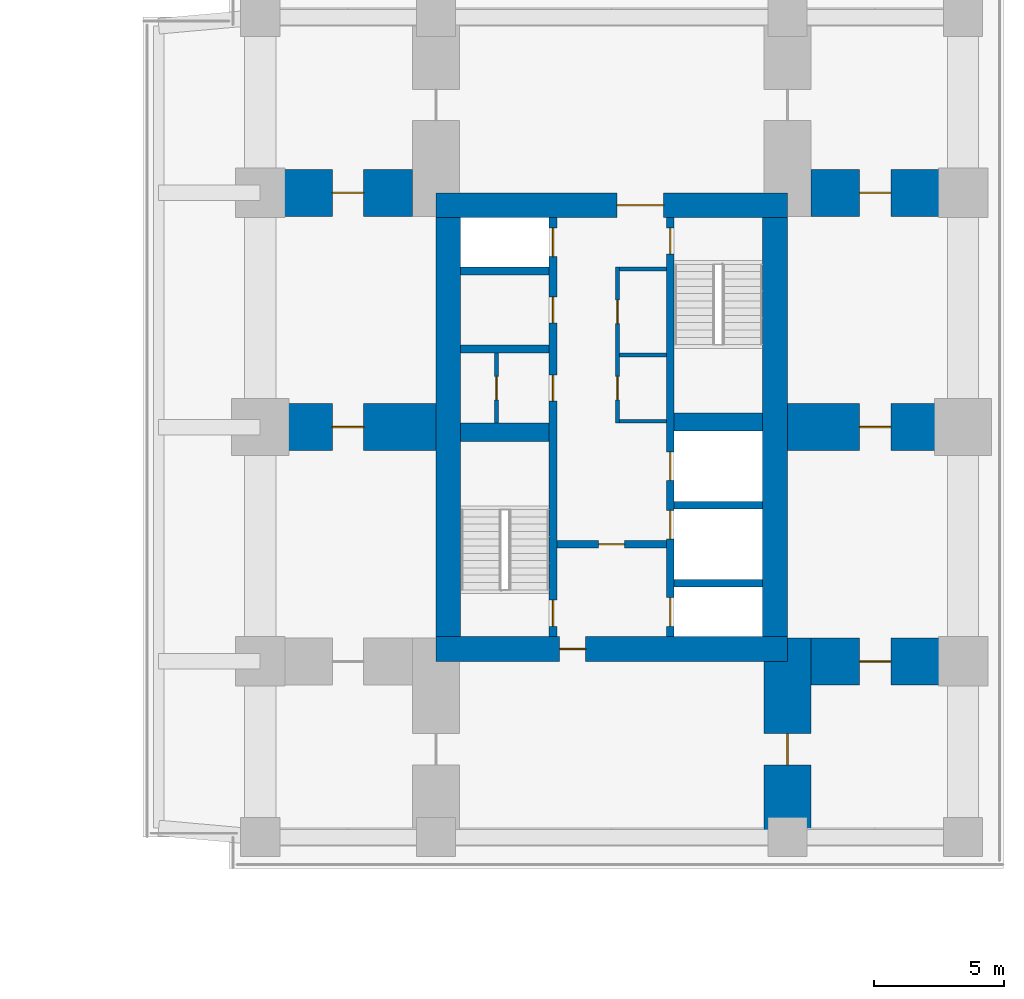
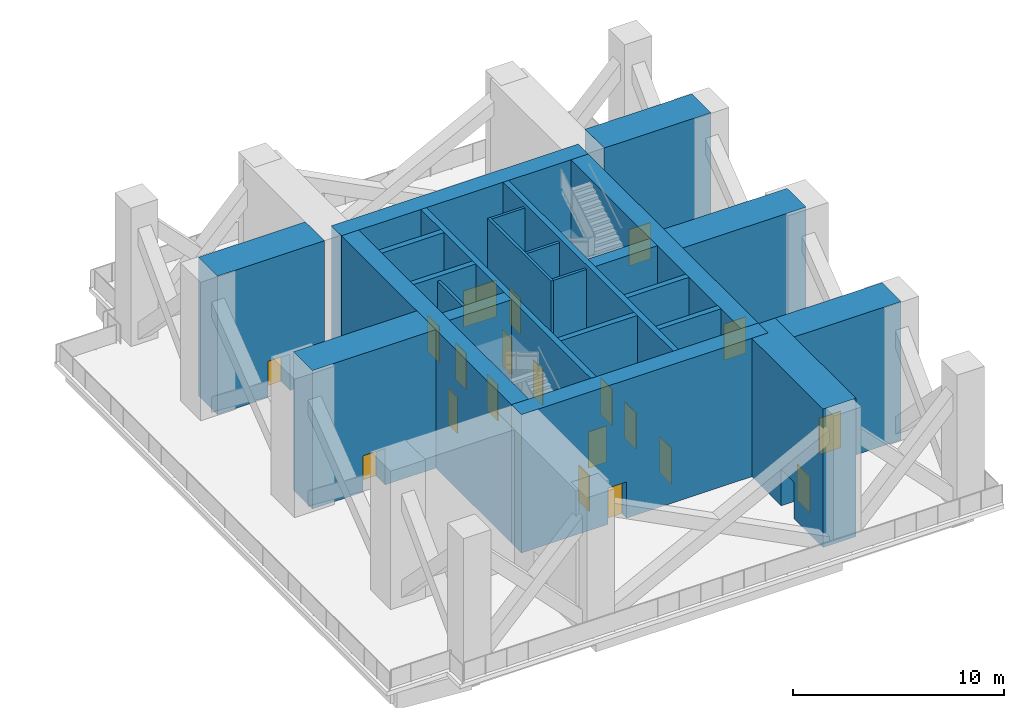
# One storey, part 5 of 11: 24 walls, 20 doors, 20 openings.
"""IFC4 building model written with IfcOpenShell, lengths in metres."""

from ifc_helpers import new_model, si_unit, direction, frame, frame_2d, origin, place, context, subcontext, project, spatial, rectangle, extrude, material, layer, layer_set, type_object, element, fill, save


model = new_model("IFC4")

# Units and contexts
model_context = context("Model", 3, precision=1e-05, world=origin(), true_north=direction((0.0, 1.0)))
body_context = subcontext(model_context, "Body", "Model", "MODEL_VIEW")
ifc_project = project(units=[si_unit("LENGTHUNIT", "METRE"), si_unit("AREAUNIT", "SQUARE_METRE"), si_unit("VOLUMEUNIT", "CUBIC_METRE"), si_unit("PLANEANGLEUNIT", "RADIAN"), si_unit("MASSUNIT", "GRAM", prefix="KILO")], contexts=[model_context])

# Site, building, storey
site_placement = place(None, origin())
site = spatial("IfcSite", under=ifc_project, at=site_placement, CompositionType="ELEMENT")
building_placement = place(site_placement, origin())
building = spatial("IfcBuilding", under=site, at=building_placement, Name="Namib Vertical Campus", CompositionType="ELEMENT")
storey_placement = place(building_placement, frame((0.0, 0.0, 169.0)))
storey = spatial("IfcBuildingStorey", under=building, at=storey_placement, Name="L40", CompositionType="ELEMENT", Elevation=169.0)

# Wall, openings, doors
ifc_material_1 = material(Name="Concrete C60/75", Category="concrete")
ifc_layer_1 = layer(ifc_material_1, 0.300048828125)
ifc_layer_set_1 = layer_set([ifc_layer_1], Name="Concrete C60/75")
wall_type_1 = type_object("IfcWallType", Name="Core inner wall 300", PredefinedType="SHEAR", material=ifc_layer_set_1)
wall_1_placement = place(storey_placement, frame((78.75, 12.199951171875, 0.0), z_axis=(0.0, 0.0, 1.0), x_axis=(0.0, 1.0, 0.0)))
wall_1 = element("IfcWall", 1, at=wall_1_placement, inside=storey, type_object=wall_type_1, Name="Core inner wall B L40 W1", PredefinedType="SHEAR", context=body_context, shape_type="SweptSolid", body=[
    extrude(rectangle(XDim=16.10009765625, YDim=0.300048828125, at=frame_2d((8.050048828125, 0.0))), origin(), (0.0, 0.0, 1.0), 8.0),
])
opening_1_placement = place(wall_1_placement, frame((0.39990234375, 0.0, 0.0)))
opening_1 = element("IfcOpeningElement", 2, at=opening_1_placement, cuts=wall_1, Name="Opening FD1", PredefinedType="OPENING", context=body_context, shape_type="SweptSolid", body=[
    extrude(rectangle(XDim=1.0, YDim=2.10009765625, at=frame_2d((0.5, 1.050048828125))), frame((0.0, 0.159912109375, 0.0), z_axis=(0.0, -1.0, 0.0), x_axis=(1.0, 0.0, 0.0)), (0.0, 0.0, 1.0), 0.320068359375),
])
opening_2_placement = place(wall_1_placement, frame((14.60009765625, 0.0, 0.0)))
opening_2 = element("IfcOpeningElement", 3, at=opening_2_placement, cuts=wall_1, Name="Opening LD1", PredefinedType="OPENING", context=body_context, shape_type="SweptSolid", body=[
    extrude(rectangle(XDim=1.10009765625, YDim=2.10009765625, at=frame_2d((0.550048828125, 1.050048828125))), frame((0.0, 0.159912109375, 0.0), z_axis=(0.0, -1.0, 0.0), x_axis=(1.0, 0.0, 0.0)), (0.0, 0.0, 1.0), 0.320068359375),
])
opening_3_placement = place(wall_1_placement, frame((9.050048828125, 0.0, 0.0)))
opening_3 = element("IfcOpeningElement", 4, at=opening_3_placement, cuts=wall_1, Name="Opening D1", PredefinedType="OPENING", context=body_context, shape_type="SweptSolid", body=[
    extrude(rectangle(XDim=1.0, YDim=2.10009765625, at=frame_2d((0.5, 1.050048828125))), frame((0.0, 0.159912109375, 0.0), z_axis=(0.0, -1.0, 0.0), x_axis=(1.0, 0.0, 0.0)), (0.0, 0.0, 1.0), 0.320068359375),
])
opening_4_placement = place(wall_1_placement, frame((12.050048828125, 0.0, 0.0)))
opening_4 = element("IfcOpeningElement", 5, at=opening_4_placement, cuts=wall_1, Name="Opening D1", PredefinedType="OPENING", context=body_context, shape_type="SweptSolid", body=[
    extrude(rectangle(XDim=1.0, YDim=2.10009765625, at=frame_2d((0.5, 1.050048828125))), frame((0.0, 0.159912109375, 0.0), z_axis=(0.0, -1.0, 0.0), x_axis=(1.0, 0.0, 0.0)), (0.0, 0.0, 1.0), 0.320068359375),
])
ifc_material_2 = material(Name="Timber door leaf", Category="wood")
door_type_1 = type_object("IfcDoorType", Name="Door single 1000x2100", OperationType="SINGLE_SWING_LEFT", PredefinedType="DOOR", material=ifc_material_2)
door_1_placement = place(opening_3_placement, origin())
door_1 = element("IfcDoor", 6, at=door_1_placement, inside=storey, type_object=door_type_1, Name="Door D1 Store B L40 P1", OperationType="SINGLE_SWING_LEFT", OverallHeight=2.10009765625, OverallWidth=1.0, PredefinedType="DOOR", context=body_context, shape_type="SweptSolid", body=[
    extrude(rectangle(XDim=1.0, YDim=2.10009765625, at=frame_2d((0.5, 1.050048828125))), frame((0.0, 0.02490234375, 0.0), z_axis=(0.0, -1.0, 0.0), x_axis=(1.0, 0.0, 0.0)), (0.0, 0.0, 1.0), 0.050048828125),
])
fill(opening_3, door_1)
door_2_placement = place(opening_4_placement, origin())
door_2 = element("IfcDoor", 7, at=door_2_placement, inside=storey, type_object=door_type_1, Name="Door D1 Cleaners' store B L40 P2", OperationType="SINGLE_SWING_LEFT", OverallHeight=2.10009765625, OverallWidth=1.0, PredefinedType="DOOR", context=body_context, shape_type="SweptSolid", body=[
    extrude(rectangle(XDim=1.0, YDim=2.10009765625, at=frame_2d((0.5, 1.050048828125))), frame((0.0, 0.02490234375, 0.0), z_axis=(0.0, -1.0, 0.0), x_axis=(1.0, 0.0, 0.0)), (0.0, 0.0, 1.0), 0.050048828125),
])
fill(opening_4, door_2)
ifc_material_3 = material(Name="Steel fire door", Category="steel")
door_type_2 = type_object("IfcDoorType", Name="Fire door 1000x2100", OperationType="SINGLE_SWING_RIGHT", PredefinedType="DOOR", material=ifc_material_3)
door_3_placement = place(opening_1_placement, origin())
door_3 = element("IfcDoor", 8, at=door_3_placement, inside=storey, type_object=door_type_2, Name="Stair door FD1 B L40 S1", OperationType="SINGLE_SWING_LEFT", OverallHeight=2.10009765625, OverallWidth=1.0, PredefinedType="DOOR", context=body_context, shape_type="SweptSolid", body=[
    extrude(rectangle(XDim=1.0, YDim=2.10009765625, at=frame_2d((0.5, 1.050048828125))), frame((0.0, 0.02490234375, 0.0), z_axis=(0.0, -1.0, 0.0), x_axis=(1.0, 0.0, 0.0)), (0.0, 0.0, 1.0), 0.050048828125),
])
fill(opening_1, door_3)
ifc_material_4 = material(Name="Stainless steel lift door", Category="steel")
door_type_3 = type_object("IfcDoorType", Name="Lift landing door 1100x2100", OperationType="DOUBLE_DOOR_SLIDING", PredefinedType="DOOR", material=ifc_material_4)
door_4_placement = place(opening_2_placement, origin())
door_4 = element("IfcDoor", 9, at=door_4_placement, inside=storey, type_object=door_type_3, Name="Lift landing door LD1 B-P3 L40", OperationType="DOUBLE_DOOR_SLIDING", OverallHeight=2.10009765625, OverallWidth=1.10009765625, PredefinedType="DOOR", context=body_context, shape_type="SweptSolid", body=[
    extrude(rectangle(XDim=1.10009765625, YDim=2.10009765625, at=frame_2d((0.550048828125, 1.050048828125))), frame((0.0, 0.02490234375, 0.0), z_axis=(0.0, -1.0, 0.0), x_axis=(1.0, 0.0, 0.0)), (0.0, 0.0, 1.0), 0.050048828125),
])
fill(opening_2, door_4)

wall_2_placement = place(storey_placement, frame((83.25, 12.199951171875, 0.0), z_axis=(0.0, 0.0, 1.0), x_axis=(0.0, 1.0, 0.0)))
wall_2 = element("IfcWall", 10, at=wall_2_placement, inside=storey, type_object=wall_type_1, Name="Core inner wall B L40 W2", PredefinedType="SHEAR", context=body_context, shape_type="SweptSolid", body=[
    extrude(rectangle(XDim=16.10009765625, YDim=0.300048828125, at=frame_2d((8.050048828125, 0.0))), origin(), (0.0, 0.0, 1.0), 8.0),
])
opening_5_placement = place(wall_2_placement, frame((14.699951171875, 0.0, 0.0)))
opening_5 = element("IfcOpeningElement", 11, at=opening_5_placement, cuts=wall_2, Name="Opening FD1", PredefinedType="OPENING", context=body_context, shape_type="SweptSolid", body=[
    extrude(rectangle(XDim=1.0, YDim=2.10009765625, at=frame_2d((0.5, 1.050048828125))), frame((0.0, 0.159912109375, 0.0), z_axis=(0.0, -1.0, 0.0), x_axis=(1.0, 0.0, 0.0)), (0.0, 0.0, 1.0), 0.320068359375),
])
opening_6_placement = place(wall_2_placement, frame((0.39990234375, 0.0, 0.0)))
opening_6 = element("IfcOpeningElement", 12, at=opening_6_placement, cuts=wall_2, Name="Opening LD1", PredefinedType="OPENING", context=body_context, shape_type="SweptSolid", body=[
    extrude(rectangle(XDim=1.10009765625, YDim=2.10009765625, at=frame_2d((0.550048828125, 1.050048828125))), frame((0.0, 0.159912109375, 0.0), z_axis=(0.0, -1.0, 0.0), x_axis=(1.0, 0.0, 0.0)), (0.0, 0.0, 1.0), 0.320068359375),
])
opening_7_placement = place(wall_2_placement, frame((3.75, 0.0, 0.0)))
opening_7 = element("IfcOpeningElement", 13, at=opening_7_placement, cuts=wall_2, Name="Opening LD1", PredefinedType="OPENING", context=body_context, shape_type="SweptSolid", body=[
    extrude(rectangle(XDim=1.10009765625, YDim=2.10009765625, at=frame_2d((0.550048828125, 1.050048828125))), frame((0.0, 0.159912109375, 0.0), z_axis=(0.0, -1.0, 0.0), x_axis=(1.0, 0.0, 0.0)), (0.0, 0.0, 1.0), 0.320068359375),
])
opening_8_placement = place(wall_2_placement, frame((6.0, 0.0, 0.0)))
opening_8 = element("IfcOpeningElement", 14, at=opening_8_placement, cuts=wall_2, Name="Opening LD1", PredefinedType="OPENING", context=body_context, shape_type="SweptSolid", body=[
    extrude(rectangle(XDim=1.10009765625, YDim=2.10009765625, at=frame_2d((0.550048828125, 1.050048828125))), frame((0.0, 0.159912109375, 0.0), z_axis=(0.0, -1.0, 0.0), x_axis=(1.0, 0.0, 0.0)), (0.0, 0.0, 1.0), 0.320068359375),
])
door_5_placement = place(opening_5_placement, frame((1.0, 0.0, 0.0), z_axis=(0.0, 0.0, 1.0), x_axis=(-1.0, 0.0, 0.0)))
door_5 = element("IfcDoor", 15, at=door_5_placement, inside=storey, type_object=door_type_2, Name="Stair door FD1 B L40 S2", OperationType="SINGLE_SWING_LEFT", OverallHeight=2.10009765625, OverallWidth=1.0, PredefinedType="DOOR", context=body_context, shape_type="SweptSolid", body=[
    extrude(rectangle(XDim=1.0, YDim=2.10009765625, at=frame_2d((0.5, 1.050048828125))), frame((0.0, 0.02490234375, 0.0), z_axis=(0.0, -1.0, 0.0), x_axis=(1.0, 0.0, 0.0)), (0.0, 0.0, 1.0), 0.050048828125),
])
fill(opening_5, door_5)
door_6_placement = place(opening_6_placement, origin())
door_6 = element("IfcDoor", 16, at=door_6_placement, inside=storey, type_object=door_type_3, Name="Lift landing door LD1 B-FL1 L40", OperationType="DOUBLE_DOOR_SLIDING", OverallHeight=2.10009765625, OverallWidth=1.10009765625, PredefinedType="DOOR", context=body_context, shape_type="SweptSolid", body=[
    extrude(rectangle(XDim=1.10009765625, YDim=2.10009765625, at=frame_2d((0.550048828125, 1.050048828125))), frame((0.0, 0.02490234375, 0.0), z_axis=(0.0, -1.0, 0.0), x_axis=(1.0, 0.0, 0.0)), (0.0, 0.0, 1.0), 0.050048828125),
])
fill(opening_6, door_6)
door_7_placement = place(opening_7_placement, origin())
door_7 = element("IfcDoor", 17, at=door_7_placement, inside=storey, type_object=door_type_3, Name="Lift landing door LD1 B-P4 L40", OperationType="DOUBLE_DOOR_SLIDING", OverallHeight=2.10009765625, OverallWidth=1.10009765625, PredefinedType="DOOR", context=body_context, shape_type="SweptSolid", body=[
    extrude(rectangle(XDim=1.10009765625, YDim=2.10009765625, at=frame_2d((0.550048828125, 1.050048828125))), frame((0.0, 0.02490234375, 0.0), z_axis=(0.0, -1.0, 0.0), x_axis=(1.0, 0.0, 0.0)), (0.0, 0.0, 1.0), 0.050048828125),
])
fill(opening_7, door_7)
door_8_placement = place(opening_8_placement, origin())
door_8 = element("IfcDoor", 18, at=door_8_placement, inside=storey, type_object=door_type_3, Name="Lift landing door LD1 B-P5 L40", OperationType="DOUBLE_DOOR_SLIDING", OverallHeight=2.10009765625, OverallWidth=1.10009765625, PredefinedType="DOOR", context=body_context, shape_type="SweptSolid", body=[
    extrude(rectangle(XDim=1.10009765625, YDim=2.10009765625, at=frame_2d((0.550048828125, 1.050048828125))), frame((0.0, 0.02490234375, 0.0), z_axis=(0.0, -1.0, 0.0), x_axis=(1.0, 0.0, 0.0)), (0.0, 0.0, 1.0), 0.050048828125),
])
fill(opening_8, door_8)

# Wall, opening, door
wall_3_placement = place(storey_placement, frame((78.89990234375, 15.75, 0.0), z_axis=(0.0, 0.0, 1.0), x_axis=(1.0, 0.0, 0.0)))
wall_3 = element("IfcWall", 19, at=wall_3_placement, inside=storey, type_object=wall_type_1, Name="Core inner wall B L40 W4", PredefinedType="SHEAR", context=body_context, shape_type="SweptSolid", body=[
    extrude(rectangle(XDim=4.2001953125, YDim=0.300048828125, at=frame_2d((2.10009765625, 0.0))), origin(), (0.0, 0.0, 1.0), 8.0),
])
opening_9_placement = place(wall_3_placement, frame((1.60009765625, 0.0, 0.0)))
opening_9 = element("IfcOpeningElement", 20, at=opening_9_placement, cuts=wall_3, Name="Opening FD5", PredefinedType="OPENING", context=body_context, shape_type="SweptSolid", body=[
    extrude(rectangle(XDim=1.0, YDim=2.10009765625, at=frame_2d((0.5, 1.050048828125))), frame((0.0, 0.159912109375, 0.0), z_axis=(0.0, -1.0, 0.0), x_axis=(1.0, 0.0, 0.0)), (0.0, 0.0, 1.0), 0.320068359375),
])
ifc_material_5 = material(Name="Steel fire door", Category="steel")
door_type_4 = type_object("IfcDoorType", Name="Fire door 1000x2100 120 min", OperationType="SINGLE_SWING_RIGHT", PredefinedType="DOOR", material=ifc_material_5)
door_9_placement = place(opening_9_placement, frame((1.0, 0.0, 0.0), z_axis=(0.0, 0.0, 1.0), x_axis=(-1.0, 0.0, 0.0)))
door_9 = element("IfcDoor", 21, at=door_9_placement, inside=storey, type_object=door_type_4, Name="Lobby door FD5 B L40", OperationType="SINGLE_SWING_RIGHT", OverallHeight=2.10009765625, OverallWidth=1.0, PredefinedType="DOOR", context=body_context, shape_type="SweptSolid", body=[
    extrude(rectangle(XDim=1.0, YDim=2.10009765625, at=frame_2d((0.5, 1.050048828125))), frame((0.0, 0.02490234375, 0.0), z_axis=(0.0, -1.0, 0.0), x_axis=(1.0, 0.0, 0.0)), (0.0, 0.0, 1.0), 0.050048828125),
])
fill(opening_9, door_9)

# Walls
for number, where, z_axis, x_axis, name in (
    (22, (83.39990234375, 14.25, 0.0), (0.0, 0.0, 1.0), (1.0, 0.0, 0.0), "Core inner wall B L40 W5"),
    (23, (83.39990234375, 17.25, 0.0), (0.0, 0.0, 1.0), (1.0, 0.0, 0.0), "Core inner wall B L40 W6"),
    (24, (75.199951171875, 23.25, 0.0), (0.0, 0.0, 1.0), (1.0, 0.0, 0.0), "Core inner wall B L40 W8"),
    (25, (75.199951171875, 26.25, 0.0), (0.0, 0.0, 1.0), (1.0, 0.0, 0.0), "Core inner wall B L40 W9"),
):
    element("IfcWall", number, at=place(storey_placement, frame(where, z_axis=z_axis, x_axis=x_axis)), inside=storey, type_object=wall_type_1, Name=name, PredefinedType="SHEAR", context=body_context, shape_type="SweptSolid", body=[
        extrude(rectangle(XDim=3.400146484375, YDim=0.300048828125, at=frame_2d((1.7001953125, 0.0))), origin(), (0.0, 0.0, 1.0), 8.0),
    ])
ifc_material_6 = material(Name="Concrete C60/75", Category="concrete")
ifc_layer_2 = layer(ifc_material_6, 0.699951171875)
ifc_layer_set_2 = layer_set([ifc_layer_2], Name="Concrete C60/75")
wall_type_2 = type_object("IfcWallType", Name="Core shear wall 700", PredefinedType="SHEAR", material=ifc_layer_set_2)
for number, where, z_axis, x_axis, name in (
    (26, (75.199951171875, 20.050048828125, 0.0), (0.0, 0.0, 1.0), (1.0, 0.0, 0.0), "Core shear wall B L40 W3"),
    (27, (83.39990234375, 20.449951171875, 0.0), (0.0, 0.0, 1.0), (1.0, 0.0, 0.0), "Core shear wall B L40 W7"),
):
    element("IfcWall", number, at=place(storey_placement, frame(where, z_axis=z_axis, x_axis=x_axis)), inside=storey, type_object=wall_type_2, Name=name, PredefinedType="SHEAR", context=body_context, shape_type="SweptSolid", body=[
        extrude(rectangle(XDim=3.400146484375, YDim=0.699951171875, at=frame_2d((1.7001953125, 0.0))), origin(), (0.0, 0.0, 1.0), 8.0),
    ])

# Wall, opening, door
ifc_material_7 = material(Name="Concrete C60/75", Category="concrete")
ifc_layer_3 = layer(ifc_material_7, 0.949951171875)
ifc_layer_set_3 = layer_set([ifc_layer_3], Name="Concrete C60/75")
wall_type_3 = type_object("IfcWallType", Name="Core wall 950", PredefinedType="SHEAR", material=ifc_layer_set_3)
wall_4_placement = place(storey_placement, frame((74.25, 11.72509765625, 0.0), z_axis=(0.0, 0.0, 1.0), x_axis=(1.0, 0.0, 0.0)))
wall_4 = element("IfcWall", 28, at=wall_4_placement, inside=storey, type_object=wall_type_3, Name="Core wall B L40 1", PredefinedType="SHEAR", context=body_context, shape_type="SweptSolid", body=[
    extrude(rectangle(XDim=13.5, YDim=0.949951171875, at=frame_2d((6.75, 0.0))), origin(), (0.0, 0.0, 1.0), 8.0),
])
opening_10_placement = place(wall_4_placement, frame((4.75, 0.0, 0.0)))
opening_10 = element("IfcOpeningElement", 29, at=opening_10_placement, cuts=wall_4, Name="Opening FD5", PredefinedType="OPENING", context=body_context, shape_type="SweptSolid", body=[
    extrude(rectangle(XDim=1.0, YDim=2.10009765625, at=frame_2d((0.5, 1.050048828125))), frame((0.0, 0.48486328125, 0.0), z_axis=(0.0, -1.0, 0.0), x_axis=(1.0, 0.0, 0.0)), (0.0, 0.0, 1.0), 0.969970703125),
])
door_10_placement = place(opening_10_placement, frame((1.0, 0.0, 0.0), z_axis=(0.0, 0.0, 1.0), x_axis=(-1.0, 0.0, 0.0)))
door_10 = element("IfcDoor", 30, at=door_10_placement, inside=storey, type_object=door_type_4, Name="Firefighting lobby door FD5 B L40", OperationType="SINGLE_SWING_LEFT", OverallHeight=2.10009765625, OverallWidth=1.0, PredefinedType="DOOR", context=body_context, shape_type="SweptSolid", body=[
    extrude(rectangle(XDim=1.0, YDim=2.10009765625, at=frame_2d((0.5, 1.050048828125))), frame((0.0, 0.02490234375, 0.0), z_axis=(0.0, -1.0, 0.0), x_axis=(1.0, 0.0, 0.0)), (0.0, 0.0, 1.0), 0.050048828125),
])
fill(opening_10, door_10)

# Wall
wall_5_placement = place(storey_placement, frame((87.27490234375, 12.199951171875, 0.0), z_axis=(0.0, 0.0, 1.0), x_axis=(0.0, 1.0, 0.0)))
element("IfcWall", 31, at=wall_5_placement, inside=storey, type_object=wall_type_3, Name="Core wall B L40 2", PredefinedType="SHEAR", context=body_context, shape_type="SweptSolid", body=[
    extrude(rectangle(XDim=16.10009765625, YDim=0.949951171875, at=frame_2d((8.050048828125, 0.0))), origin(), (0.0, 0.0, 1.0), 8.0),
])

# Wall, opening, door
wall_6_placement = place(storey_placement, frame((87.75, 28.77490234375, 0.0), z_axis=(0.0, 0.0, 1.0), x_axis=(-1.0, 0.0, 0.0)))
wall_6 = element("IfcWall", 32, at=wall_6_placement, inside=storey, type_object=wall_type_3, Name="Core wall B L40 3", PredefinedType="SHEAR", context=body_context, shape_type="SweptSolid", body=[
    extrude(rectangle(XDim=13.5, YDim=0.949951171875, at=frame_2d((6.75, 0.0))), origin(), (0.0, 0.0, 1.0), 8.0),
])
opening_11_placement = place(wall_6_placement, frame((4.75, 0.0, 0.0)))
opening_11 = element("IfcOpeningElement", 33, at=opening_11_placement, cuts=wall_6, Name="Opening FD2", PredefinedType="OPENING", context=body_context, shape_type="SweptSolid", body=[
    extrude(rectangle(XDim=1.800048828125, YDim=2.10009765625, at=frame_2d((0.89990234375, 1.050048828125))), frame((0.0, 0.48486328125, 0.0), z_axis=(0.0, -1.0, 0.0), x_axis=(1.0, 0.0, 0.0)), (0.0, 0.0, 1.0), 0.969970703125),
])
ifc_material_8 = material(Name="Steel fire door", Category="steel")
door_type_5 = type_object("IfcDoorType", Name="Fire door double 1800x2100", OperationType="DOUBLE_DOOR_SINGLE_SWING", PredefinedType="DOOR", material=ifc_material_8)
door_11_placement = place(opening_11_placement, frame((1.800048828125, 0.0, 0.0), z_axis=(0.0, 0.0, 1.0), x_axis=(-1.0, 0.0, 0.0)))
door_11 = element("IfcDoor", 34, at=door_11_placement, inside=storey, type_object=door_type_5, Name="Lift lobby door FD2 B L40", OperationType="DOUBLE_DOOR_SINGLE_SWING", OverallHeight=2.10009765625, OverallWidth=1.800048828125, PredefinedType="DOOR", context=body_context, shape_type="SweptSolid", body=[
    extrude(rectangle(XDim=1.800048828125, YDim=2.10009765625, at=frame_2d((0.89990234375, 1.050048828125))), frame((0.0, 0.02490234375, 0.0), z_axis=(0.0, -1.0, 0.0), x_axis=(1.0, 0.0, 0.0)), (0.0, 0.0, 1.0), 0.050048828125),
])
fill(opening_11, door_11)

# Wall
wall_7_placement = place(storey_placement, frame((74.72509765625, 28.300048828125, 0.0), z_axis=(0.0, 0.0, 1.0), x_axis=(0.0, -1.0, 0.0)))
element("IfcWall", 35, at=wall_7_placement, inside=storey, type_object=wall_type_3, Name="Core wall B L40 4", PredefinedType="SHEAR", context=body_context, shape_type="SweptSolid", body=[
    extrude(rectangle(XDim=16.10009765625, YDim=0.949951171875, at=frame_2d((8.050048828125, 0.0))), origin(), (0.0, 0.0, 1.0), 8.0),
])

# Wall, opening, door
ifc_material_9 = material(Name="Concrete C60/75", Category="concrete")
ifc_layer_4 = layer(ifc_material_9, 1.800048828125)
ifc_layer_set_4 = layer_set([ifc_layer_4], Name="Concrete C60/75")
wall_type_4 = type_object("IfcWallType", Name="Outrigger wall 1800", PredefinedType="SHEAR", material=ifc_layer_set_4)
wall_8_placement = place(storey_placement, frame((87.75, 4.5, 0.0), z_axis=(0.0, 0.0, 1.0), x_axis=(0.0, 1.0, 0.0)))
wall_8 = element("IfcWall", 36, at=wall_8_placement, inside=storey, type_object=wall_type_4, Name="Outrigger wall B L40 OR2", PredefinedType="SHEAR", context=body_context, shape_type="SweptSolid", body=[
    extrude(rectangle(XDim=7.64990234375, YDim=1.800048828125, at=frame_2d((3.824951171875, 0.0))), origin(), (0.0, 0.0, 1.0), 8.0),
])
opening_12_placement = place(wall_8_placement, frame((2.77490234375, 0.0, 0.0)))
opening_12 = element("IfcOpeningElement", 37, at=opening_12_placement, cuts=wall_8, Name="Opening RD1", PredefinedType="OPENING", context=body_context, shape_type="SweptSolid", body=[
    extrude(rectangle(XDim=1.199951171875, YDim=2.10009765625, at=frame_2d((0.60009765625, 1.050048828125))), frame((0.0, 0.909912109375, 0.0), z_axis=(0.0, -1.0, 0.0), x_axis=(1.0, 0.0, 0.0)), (0.0, 0.0, 1.0), 1.820068359375),
])
ifc_material_10 = material(Name="Steel fire door", Category="steel")
door_type_6 = type_object("IfcDoorType", Name="Refuge door 1200x2100", OperationType="DOUBLE_DOOR_DOUBLE_SWING", PredefinedType="DOOR", material=ifc_material_10)
door_12_placement = place(opening_12_placement, origin())
door_12 = element("IfcDoor", 38, at=door_12_placement, inside=storey, type_object=door_type_6, Name="Refuge door RD1 B L40 OR2", OperationType="DOUBLE_DOOR_DOUBLE_SWING", OverallHeight=2.10009765625, OverallWidth=1.199951171875, PredefinedType="DOOR", context=body_context, shape_type="SweptSolid", body=[
    extrude(rectangle(XDim=1.199951171875, YDim=2.10009765625, at=frame_2d((0.60009765625, 1.050048828125))), frame((0.0, 0.02490234375, 0.0), z_axis=(0.0, -1.0, 0.0), x_axis=(1.0, 0.0, 0.0)), (0.0, 0.0, 1.0), 0.050048828125),
])
fill(opening_12, door_12)

wall_9_placement = place(storey_placement, frame((67.5, 20.25, 0.0), z_axis=(0.0, 0.0, 1.0), x_axis=(1.0, 0.0, 0.0)))
wall_9 = element("IfcWall", 39, at=wall_9_placement, inside=storey, type_object=wall_type_4, Name="Outrigger wall B L40 OR5", PredefinedType="SHEAR", context=body_context, shape_type="SweptSolid", body=[
    extrude(rectangle(XDim=6.75, YDim=1.800048828125, at=frame_2d((3.375, 0.0))), origin(), (0.0, 0.0, 1.0), 8.0),
])
opening_13_placement = place(wall_9_placement, frame((2.77490234375, 0.0, 0.0)))
opening_13 = element("IfcOpeningElement", 40, at=opening_13_placement, cuts=wall_9, Name="Opening RD1", PredefinedType="OPENING", context=body_context, shape_type="SweptSolid", body=[
    extrude(rectangle(XDim=1.199951171875, YDim=2.10009765625, at=frame_2d((0.60009765625, 1.050048828125))), frame((0.0, 0.909912109375, 0.0), z_axis=(0.0, -1.0, 0.0), x_axis=(1.0, 0.0, 0.0)), (0.0, 0.0, 1.0), 1.820068359375),
])
door_13_placement = place(opening_13_placement, origin())
door_13 = element("IfcDoor", 41, at=door_13_placement, inside=storey, type_object=door_type_6, Name="Refuge door RD1 B L40 OR5", OperationType="DOUBLE_DOOR_DOUBLE_SWING", OverallHeight=2.10009765625, OverallWidth=1.199951171875, PredefinedType="DOOR", context=body_context, shape_type="SweptSolid", body=[
    extrude(rectangle(XDim=1.199951171875, YDim=2.10009765625, at=frame_2d((0.60009765625, 1.050048828125))), frame((0.0, 0.02490234375, 0.0), z_axis=(0.0, -1.0, 0.0), x_axis=(1.0, 0.0, 0.0)), (0.0, 0.0, 1.0), 0.050048828125),
])
fill(opening_13, door_13)

wall_10_placement = place(storey_placement, frame((87.75, 20.25, 0.0), z_axis=(0.0, 0.0, 1.0), x_axis=(1.0, 0.0, 0.0)))
wall_10 = element("IfcWall", 42, at=wall_10_placement, inside=storey, type_object=wall_type_4, Name="Outrigger wall B L40 OR6", PredefinedType="SHEAR", context=body_context, shape_type="SweptSolid", body=[
    extrude(rectangle(XDim=6.75, YDim=1.800048828125, at=frame_2d((3.375, 0.0))), origin(), (0.0, 0.0, 1.0), 8.0),
])
opening_14_placement = place(wall_10_placement, frame((2.77490234375, 0.0, 0.0)))
opening_14 = element("IfcOpeningElement", 43, at=opening_14_placement, cuts=wall_10, Name="Opening RD1", PredefinedType="OPENING", context=body_context, shape_type="SweptSolid", body=[
    extrude(rectangle(XDim=1.199951171875, YDim=2.10009765625, at=frame_2d((0.60009765625, 1.050048828125))), frame((0.0, 0.909912109375, 0.0), z_axis=(0.0, -1.0, 0.0), x_axis=(1.0, 0.0, 0.0)), (0.0, 0.0, 1.0), 1.820068359375),
])
door_14_placement = place(opening_14_placement, origin())
door_14 = element("IfcDoor", 44, at=door_14_placement, inside=storey, type_object=door_type_6, Name="Refuge door RD1 B L40 OR6", OperationType="DOUBLE_DOOR_DOUBLE_SWING", OverallHeight=2.10009765625, OverallWidth=1.199951171875, PredefinedType="DOOR", context=body_context, shape_type="SweptSolid", body=[
    extrude(rectangle(XDim=1.199951171875, YDim=2.10009765625, at=frame_2d((0.60009765625, 1.050048828125))), frame((0.0, 0.02490234375, 0.0), z_axis=(0.0, -1.0, 0.0), x_axis=(1.0, 0.0, 0.0)), (0.0, 0.0, 1.0), 0.050048828125),
])
fill(opening_14, door_14)

wall_11_placement = place(storey_placement, frame((88.64990234375, 11.25, 0.0), z_axis=(0.0, 0.0, 1.0), x_axis=(1.0, 0.0, 0.0)))
wall_11 = element("IfcWall", 45, at=wall_11_placement, inside=storey, type_object=wall_type_4, Name="Outrigger wall B L40 OR8", PredefinedType="SHEAR", context=body_context, shape_type="SweptSolid", body=[
    extrude(rectangle(XDim=5.85009765625, YDim=1.800048828125, at=frame_2d((2.925048828125, 0.0))), origin(), (0.0, 0.0, 1.0), 8.0),
])
opening_15_placement = place(wall_11_placement, frame((1.875, 0.0, 0.0)))
opening_15 = element("IfcOpeningElement", 46, at=opening_15_placement, cuts=wall_11, Name="Opening RD1", PredefinedType="OPENING", context=body_context, shape_type="SweptSolid", body=[
    extrude(rectangle(XDim=1.199951171875, YDim=2.10009765625, at=frame_2d((0.60009765625, 1.050048828125))), frame((0.0, 0.909912109375, 0.0), z_axis=(0.0, -1.0, 0.0), x_axis=(1.0, 0.0, 0.0)), (0.0, 0.0, 1.0), 1.820068359375),
])
door_15_placement = place(opening_15_placement, origin())
door_15 = element("IfcDoor", 47, at=door_15_placement, inside=storey, type_object=door_type_6, Name="Refuge door RD1 B L40 OR8", OperationType="DOUBLE_DOOR_DOUBLE_SWING", OverallHeight=2.10009765625, OverallWidth=1.199951171875, PredefinedType="DOOR", context=body_context, shape_type="SweptSolid", body=[
    extrude(rectangle(XDim=1.199951171875, YDim=2.10009765625, at=frame_2d((0.60009765625, 1.050048828125))), frame((0.0, 0.02490234375, 0.0), z_axis=(0.0, -1.0, 0.0), x_axis=(1.0, 0.0, 0.0)), (0.0, 0.0, 1.0), 0.050048828125),
])
fill(opening_15, door_15)

wall_12_placement = place(storey_placement, frame((67.5, 29.25, 0.0), z_axis=(0.0, 0.0, 1.0), x_axis=(1.0, 0.0, 0.0)))
wall_12 = element("IfcWall", 48, at=wall_12_placement, inside=storey, type_object=wall_type_4, Name="Outrigger wall B L40 OR9", PredefinedType="SHEAR", context=body_context, shape_type="SweptSolid", body=[
    extrude(rectangle(XDim=5.85009765625, YDim=1.800048828125, at=frame_2d((2.925048828125, 0.0))), origin(), (0.0, 0.0, 1.0), 8.0),
])
opening_16_placement = place(wall_12_placement, frame((2.77490234375, 0.0, 0.0)))
opening_16 = element("IfcOpeningElement", 49, at=opening_16_placement, cuts=wall_12, Name="Opening RD1", PredefinedType="OPENING", context=body_context, shape_type="SweptSolid", body=[
    extrude(rectangle(XDim=1.199951171875, YDim=2.10009765625, at=frame_2d((0.60009765625, 1.050048828125))), frame((0.0, 0.909912109375, 0.0), z_axis=(0.0, -1.0, 0.0), x_axis=(1.0, 0.0, 0.0)), (0.0, 0.0, 1.0), 1.820068359375),
])
door_16_placement = place(opening_16_placement, origin())
door_16 = element("IfcDoor", 50, at=door_16_placement, inside=storey, type_object=door_type_6, Name="Refuge door RD1 B L40 OR9", OperationType="DOUBLE_DOOR_DOUBLE_SWING", OverallHeight=2.10009765625, OverallWidth=1.199951171875, PredefinedType="DOOR", context=body_context, shape_type="SweptSolid", body=[
    extrude(rectangle(XDim=1.199951171875, YDim=2.10009765625, at=frame_2d((0.60009765625, 1.050048828125))), frame((0.0, 0.02490234375, 0.0), z_axis=(0.0, -1.0, 0.0), x_axis=(1.0, 0.0, 0.0)), (0.0, 0.0, 1.0), 0.050048828125),
])
fill(opening_16, door_16)

wall_13_placement = place(storey_placement, frame((88.64990234375, 29.25, 0.0), z_axis=(0.0, 0.0, 1.0), x_axis=(1.0, 0.0, 0.0)))
wall_13 = element("IfcWall", 51, at=wall_13_placement, inside=storey, type_object=wall_type_4, Name="Outrigger wall B L40 OR10", PredefinedType="SHEAR", context=body_context, shape_type="SweptSolid", body=[
    extrude(rectangle(XDim=5.85009765625, YDim=1.800048828125, at=frame_2d((2.925048828125, 0.0))), origin(), (0.0, 0.0, 1.0), 8.0),
])
opening_17_placement = place(wall_13_placement, frame((1.875, 0.0, 0.0)))
opening_17 = element("IfcOpeningElement", 52, at=opening_17_placement, cuts=wall_13, Name="Opening RD1", PredefinedType="OPENING", context=body_context, shape_type="SweptSolid", body=[
    extrude(rectangle(XDim=1.199951171875, YDim=2.10009765625, at=frame_2d((0.60009765625, 1.050048828125))), frame((0.0, 0.909912109375, 0.0), z_axis=(0.0, -1.0, 0.0), x_axis=(1.0, 0.0, 0.0)), (0.0, 0.0, 1.0), 1.820068359375),
])
door_17_placement = place(opening_17_placement, origin())
door_17 = element("IfcDoor", 53, at=door_17_placement, inside=storey, type_object=door_type_6, Name="Refuge door RD1 B L40 OR10", OperationType="DOUBLE_DOOR_DOUBLE_SWING", OverallHeight=2.10009765625, OverallWidth=1.199951171875, PredefinedType="DOOR", context=body_context, shape_type="SweptSolid", body=[
    extrude(rectangle(XDim=1.199951171875, YDim=2.10009765625, at=frame_2d((0.60009765625, 1.050048828125))), frame((0.0, 0.02490234375, 0.0), z_axis=(0.0, -1.0, 0.0), x_axis=(1.0, 0.0, 0.0)), (0.0, 0.0, 1.0), 0.050048828125),
])
fill(opening_17, door_17)

# Wall, openings, doors
ifc_material_11 = material(Name="Gypsum board on steel studs", Category="steel")
ifc_layer_5 = layer(ifc_material_11, 0.14990234375)
ifc_layer_set_5 = layer_set([ifc_layer_5], Name="Gypsum board on steel studs")
wall_type_5 = type_object("IfcWallType", Name="Partition 150", PredefinedType="PARTITIONING", material=ifc_layer_set_5)
wall_14_placement = place(storey_placement, frame((81.22509765625, 20.39990234375, 0.0), z_axis=(0.0, 0.0, 1.0), x_axis=(0.0, 1.0, 0.0)))
wall_14 = element("IfcWall", 54, at=wall_14_placement, inside=storey, type_object=wall_type_5, Name="Partition B L40 Comms room and Store front", PredefinedType="PARTITIONING", context=body_context, shape_type="SweptSolid", body=[
    extrude(rectangle(XDim=6.0, YDim=0.14990234375, at=frame_2d((3.0, 0.0))), origin(), (0.0, 0.0, 1.0), 7.75),
])
opening_18_placement = place(wall_14_placement, frame((0.89990234375, 0.0, 0.0)))
opening_18 = element("IfcOpeningElement", 55, at=opening_18_placement, cuts=wall_14, Name="Opening D3", PredefinedType="OPENING", context=body_context, shape_type="SweptSolid", body=[
    extrude(rectangle(XDim=0.89990234375, YDim=2.10009765625, at=frame_2d((0.449951171875, 1.050048828125))), frame((0.0, 0.0849609375, 0.0), z_axis=(0.0, -1.0, 0.0), x_axis=(1.0, 0.0, 0.0)), (0.0, 0.0, 1.0), 0.169921875),
])
opening_19_placement = place(wall_14_placement, frame((3.824951171875, 0.0, 0.0)))
opening_19 = element("IfcOpeningElement", 56, at=opening_19_placement, cuts=wall_14, Name="Opening D3", PredefinedType="OPENING", context=body_context, shape_type="SweptSolid", body=[
    extrude(rectangle(XDim=0.89990234375, YDim=2.10009765625, at=frame_2d((0.449951171875, 1.050048828125))), frame((0.0, 0.0849609375, 0.0), z_axis=(0.0, -1.0, 0.0), x_axis=(1.0, 0.0, 0.0)), (0.0, 0.0, 1.0), 0.169921875),
])
ifc_material_12 = material(Name="Timber door leaf", Category="wood")
door_type_7 = type_object("IfcDoorType", Name="Toilet door 900x2100", OperationType="SINGLE_SWING_LEFT", PredefinedType="DOOR", material=ifc_material_12)
door_18_placement = place(opening_18_placement, frame((0.89990234375, 0.0, 0.0), z_axis=(0.0, 0.0, 1.0), x_axis=(-1.0, 0.0, 0.0)))
door_18 = element("IfcDoor", 57, at=door_18_placement, inside=storey, type_object=door_type_7, Name="Door D3 Comms room B L40", OperationType="SINGLE_SWING_RIGHT", OverallHeight=2.10009765625, OverallWidth=0.89990234375, PredefinedType="DOOR", context=body_context, shape_type="SweptSolid", body=[
    extrude(rectangle(XDim=0.89990234375, YDim=2.10009765625, at=frame_2d((0.449951171875, 1.050048828125))), frame((0.0, 0.02490234375, 0.0), z_axis=(0.0, -1.0, 0.0), x_axis=(1.0, 0.0, 0.0)), (0.0, 0.0, 1.0), 0.050048828125),
])
fill(opening_18, door_18)
door_19_placement = place(opening_19_placement, frame((0.89990234375, 0.0, 0.0), z_axis=(0.0, 0.0, 1.0), x_axis=(-1.0, 0.0, 0.0)))
door_19 = element("IfcDoor", 58, at=door_19_placement, inside=storey, type_object=door_type_7, Name="Door D3 Store B L40", OperationType="SINGLE_SWING_RIGHT", OverallHeight=2.10009765625, OverallWidth=0.89990234375, PredefinedType="DOOR", context=body_context, shape_type="SweptSolid", body=[
    extrude(rectangle(XDim=0.89990234375, YDim=2.10009765625, at=frame_2d((0.449951171875, 1.050048828125))), frame((0.0, 0.02490234375, 0.0), z_axis=(0.0, -1.0, 0.0), x_axis=(1.0, 0.0, 0.0)), (0.0, 0.0, 1.0), 0.050048828125),
])
fill(opening_19, door_19)

# Walls
for number, where, z_axis, x_axis, name in (
    (59, (81.300048828125, 20.47509765625, 0.0), (0.0, 0.0, 1.0), (1.0, 0.0, 0.0), "Partition B L40 Comms room and Store end 1"),
    (60, (81.300048828125, 23.02490234375, 0.0), (0.0, 0.0, 1.0), (1.0, 0.0, 0.0), "Partition B L40 Comms room and Store division 2"),
    (61, (81.300048828125, 26.324951171875, 0.0), (0.0, 0.0, 1.0), (1.0, 0.0, 0.0), "Partition B L40 Comms room and Store end 3"),
):
    element("IfcWall", number, at=place(storey_placement, frame(where, z_axis=z_axis, x_axis=x_axis)), inside=storey, type_object=wall_type_5, Name=name, PredefinedType="PARTITIONING", context=body_context, shape_type="SweptSolid", body=[
        extrude(rectangle(XDim=1.800048828125, YDim=0.14990234375, at=frame_2d((0.89990234375, 0.0))), origin(), (0.0, 0.0, 1.0), 7.75),
    ])

# Wall, opening, door
wall_15_placement = place(storey_placement, frame((76.574951171875, 20.39990234375, 0.0), z_axis=(0.0, 0.0, 1.0), x_axis=(0.0, 1.0, 0.0)))
wall_15 = element("IfcWall", 62, at=wall_15_placement, inside=storey, type_object=wall_type_5, Name="Partition B L40 Store P1 back", PredefinedType="PARTITIONING", context=body_context, shape_type="SweptSolid", body=[
    extrude(rectangle(XDim=2.7001953125, YDim=0.14990234375, at=frame_2d((1.35009765625, 0.0))), origin(), (0.0, 0.0, 1.0), 7.75),
])
opening_20_placement = place(wall_15_placement, frame((0.89990234375, 0.0, 0.0)))
opening_20 = element("IfcOpeningElement", 63, at=opening_20_placement, cuts=wall_15, Name="Opening D3", PredefinedType="OPENING", context=body_context, shape_type="SweptSolid", body=[
    extrude(rectangle(XDim=0.89990234375, YDim=2.10009765625, at=frame_2d((0.449951171875, 1.050048828125))), frame((0.0, 0.0849609375, 0.0), z_axis=(0.0, -1.0, 0.0), x_axis=(1.0, 0.0, 0.0)), (0.0, 0.0, 1.0), 0.169921875),
])
door_20_placement = place(opening_20_placement, origin())
door_20 = element("IfcDoor", 64, at=door_20_placement, inside=storey, type_object=door_type_7, Name="Door D3 Store B L40 P1", OperationType="SINGLE_SWING_LEFT", OverallHeight=2.10009765625, OverallWidth=0.89990234375, PredefinedType="DOOR", context=body_context, shape_type="SweptSolid", body=[
    extrude(rectangle(XDim=0.89990234375, YDim=2.10009765625, at=frame_2d((0.449951171875, 1.050048828125))), frame((0.0, 0.02490234375, 0.0), z_axis=(0.0, -1.0, 0.0), x_axis=(1.0, 0.0, 0.0)), (0.0, 0.0, 1.0), 0.050048828125),
])
fill(opening_20, door_20)

save(model, "model.ifc")
